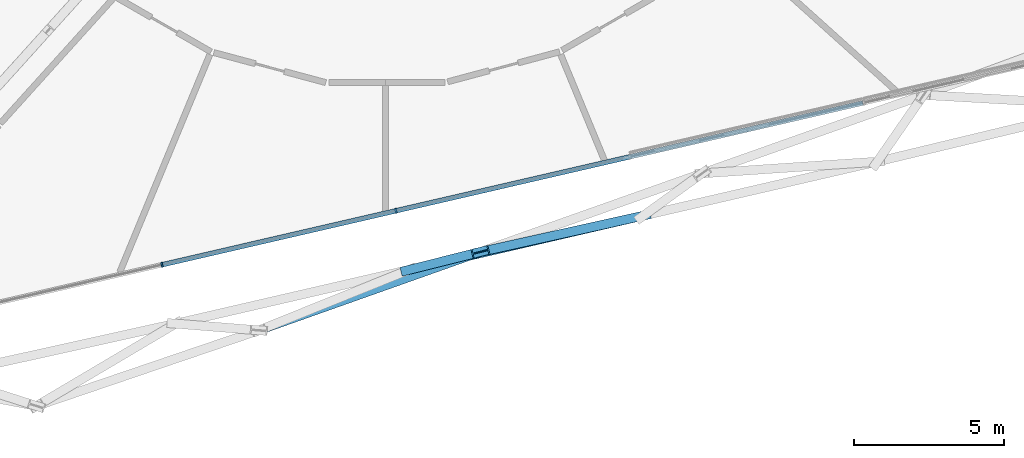
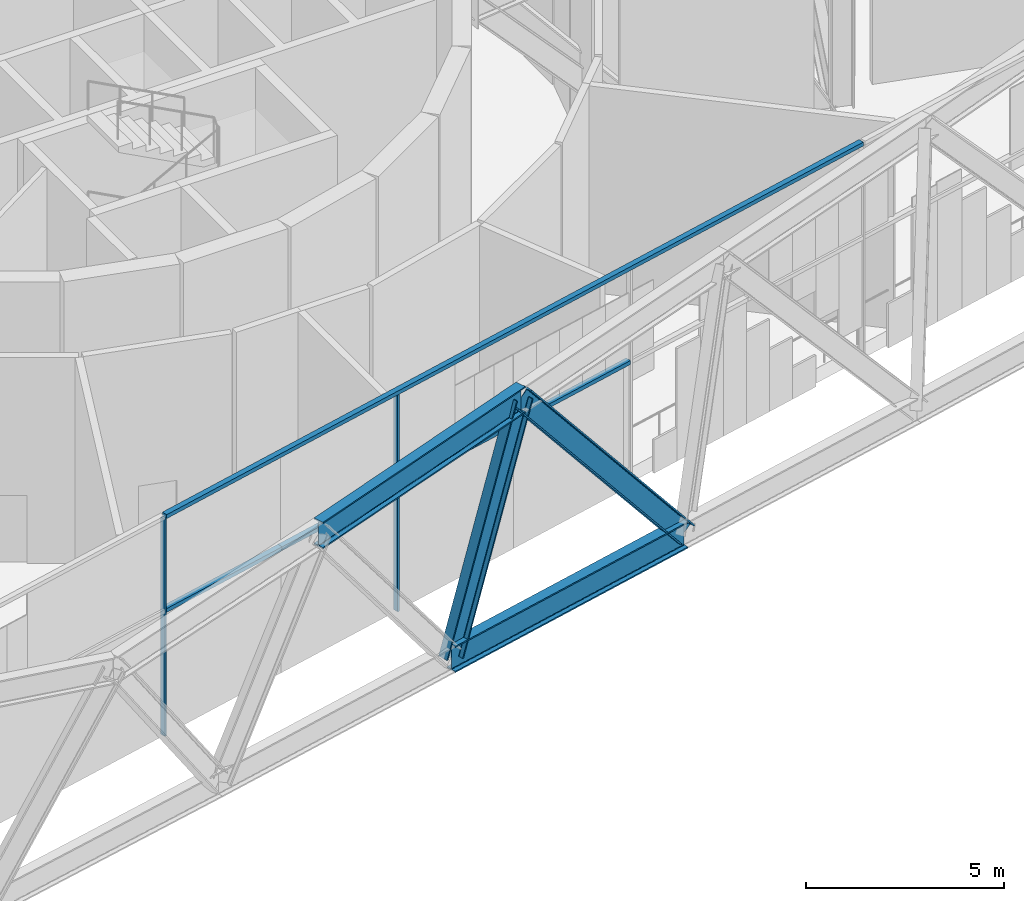
# One storey, part 3 of 25: 11 members, 1 element without a shape of its own.
"""IFC4 building model written with IfcOpenShell, lengths in metres."""

from ifc_helpers import new_model, si_unit, direction, frame, origin, origin_2d, place, context, subcontext, project, spatial, rectangle, i_section, extrude, material, layer, layer_set, material_profile, profile_set, type_object, element, aggregate, save


model = new_model("IFC4")

# Units and contexts
model_context = context("Model", 3, precision=1e-05, world=origin(), true_north=direction((0.0, 1.0)))
body_context = subcontext(model_context, "Body", "Model", "MODEL_VIEW")
ifc_project = project(units=[si_unit("LENGTHUNIT", "METRE"), si_unit("AREAUNIT", "SQUARE_METRE"), si_unit("VOLUMEUNIT", "CUBIC_METRE"), si_unit("PLANEANGLEUNIT", "RADIAN"), si_unit("MASSUNIT", "GRAM", prefix="KILO")], contexts=[model_context])

# Site, building, storey
site_placement = place(None, origin())
site = spatial("IfcSite", under=ifc_project, at=site_placement, CompositionType="ELEMENT")
building_placement = place(site_placement, origin())
building = spatial("IfcBuilding", under=site, at=building_placement, Name="Spindle Arch Residences", CompositionType="ELEMENT")
storey_placement = place(building_placement, frame((0.0, 0.0, 144.89990234375)))
storey = spatial("IfcBuildingStorey", under=building, at=storey_placement, Name="L36", CompositionType="ELEMENT", Elevation=144.89990234375)

# Members
ifc_material_1 = material(Name="Steel S460ML, intumescent coating R 240", Category="steel")
ifc_material_profile_1 = material_profile(ifc_material_1, i_section(OverallWidth=0.302978515625, OverallDepth=0.81396484375, WebThickness=0.02099609375, FlangeThickness=0.0400390625, FilletRadius=0.030029296875, at=origin_2d()), Name="HEM 800")
ifc_profile_set_1 = profile_set([ifc_material_profile_1], Name="Steel S460ML, intumescent coating R 240")
member_type_1 = type_object("IfcMemberType", Name="Belt truss chord HEM 800", PredefinedType="CHORD", material=ifc_profile_set_1)
member_1_placement = place(storey_placement, frame((0.810302734375, -21.35595703125, -0.85693359375), z_axis=(0.974369667003, 0.224952777321, 0.0), x_axis=(-0.224952777321, 0.974369667003, 0.0)))
element("IfcMember", 1, at=member_1_placement, inside=storey, type_object=member_type_1, Name="Belt truss bottom chord L36.22", PredefinedType="CHORD", context=body_context, shape_type="SweptSolid", body=[
    extrude(i_section(OverallWidth=0.302978515625, OverallDepth=0.81396484375, WebThickness=0.02099609375, FlangeThickness=0.0400390625, FilletRadius=0.030029296875, at=origin_2d()), origin(), (0.0, 0.0, 1.0), 8.029052734375),
])
member_2_placement = place(storey_placement, frame((-4.226318359375, -23.385009765625, 5.943115234375), z_axis=(0.942639442898, 0.333812643101, 0.0), x_axis=(-0.333812643101, 0.942639442898, 0.0)))
element("IfcMember", 2, at=member_2_placement, inside=storey, type_object=member_type_1, Name="Belt truss top chord L36.21", PredefinedType="CHORD", context=body_context, shape_type="SweptSolid", body=[
    extrude(i_section(OverallWidth=0.302978515625, OverallDepth=0.81396484375, WebThickness=0.02099609375, FlangeThickness=0.0400390625, FilletRadius=0.030029296875, at=origin_2d()), origin(), (0.0, 0.0, 1.0), 7.860107421875),
])
ifc_material_2 = material(Name="Steel S460ML, intumescent coating R 240", Category="steel")
ifc_material_profile_2 = material_profile(ifc_material_2, i_section(OverallWidth=0.304931640625, OverallDepth=0.6201171875, WebThickness=0.02099609375, FlangeThickness=0.0400390625, FilletRadius=0.027099609375, at=origin_2d()), Name="HEM 600")
ifc_profile_set_2 = profile_set([ifc_material_profile_2], Name="Steel S460ML, intumescent coating R 240")
member_type_2 = type_object("IfcMemberType", Name="Belt truss diagonal HEM 600", PredefinedType="BRACE", material=ifc_profile_set_2)
member_3_placement = place(storey_placement, frame((0.810302734375, -21.35595703125, -0.85693359375), z_axis=(0.328310205834, 0.082297145648, 0.940977995791), x_axis=(-0.243146202055, 0.969989651711, 0.0)))
element("IfcMember", 3, at=member_3_placement, inside=storey, type_object=member_type_2, Name="Belt truss diagonal L36.22.22", PredefinedType="BRACE", context=body_context, shape_type="SweptSolid", body=[
    extrude(i_section(OverallWidth=0.304931640625, OverallDepth=0.6201171875, WebThickness=0.02099609375, FlangeThickness=0.0400390625, FilletRadius=0.027099609375, at=origin_2d()), origin(), (0.0, 0.0, 1.0), 7.2265625),
])
member_4_placement = place(storey_placement, frame((8.633544921875, -19.5498046875, -0.85693359375), z_axis=(-0.619483191383, -0.137681429528, 0.772841768771), x_axis=(0.216958235298, -0.976180886996, 0.0)))
element("IfcMember", 4, at=member_4_placement, inside=storey, type_object=member_type_2, Name="Belt truss diagonal L36.22.1", PredefinedType="BRACE", context=body_context, shape_type="SweptSolid", body=[
    extrude(i_section(OverallWidth=0.304931640625, OverallDepth=0.6201171875, WebThickness=0.02099609375, FlangeThickness=0.0400390625, FilletRadius=0.027099609375, at=origin_2d()), origin(), (0.0, 0.0, 1.0), 8.798828125),
])

# Curtain wall, members
ifc_material_3 = material(Name="Aluminium bronze unitised frame with tinted glass", Category="aluminium")
ifc_layer = layer(ifc_material_3, 0.159912109375)
ifc_layer_set = layer_set([ifc_layer], Name="CW-E double-height winter garden wall")
curtain_wall_type = type_object("IfcCurtainWallType", Name="CW-E double-height winter garden wall", PredefinedType="NOTDEFINED", material=ifc_layer_set)
curtain_wall_placement = place(storey_placement, origin())
curtain_wall = element("IfcCurtainWall", 5, at=curtain_wall_placement, inside=storey, type_object=curtain_wall_type, Name="CW-E L36 run 6", PredefinedType="NOTDEFINED")
ifc_material_4 = material(Name="Aluminium bronze anodised mullion", Category="aluminium")
ifc_material_profile_3 = material_profile(ifc_material_4, rectangle(XDim=0.159912109375, YDim=0.06005859375, at=origin_2d()), Name="MU 60x160")
ifc_profile_set_3 = profile_set([ifc_material_profile_3], Name="Aluminium bronze anodised mullion")
member_type_3 = type_object("IfcMemberType", Name="Bronze mullion 60x160", PredefinedType="MULLION", material=ifc_profile_set_3)
member_5_placement = place(storey_placement, frame((-7.467529296875, -21.19384765625, -0.449951171875), z_axis=(0.0, 0.0, 1.0), x_axis=(-0.224951054344, 0.974370064785, 0.0)))
member_5 = element("IfcMember", 6, at=member_5_placement, type_object=member_type_3, Name="CW-E mullion 20", PredefinedType="MULLION", context=body_context, shape_type="SweptSolid", body=[
    extrude(rectangle(XDim=0.159912109375, YDim=0.06005859375, at=origin_2d()), origin(), (0.0, 0.0, 1.0), 6.679931640625),
])
member_6_placement = place(storey_placement, frame((0.355712890625, -19.3876953125, -0.449951171875), z_axis=(0.0, 0.0, 1.0), x_axis=(-0.224951054344, 0.974370064785, 0.0)))
member_6 = element("IfcMember", 7, at=member_6_placement, type_object=member_type_3, Name="CW-E mullion 21", PredefinedType="MULLION", context=body_context, shape_type="SweptSolid", body=[
    extrude(rectangle(XDim=0.159912109375, YDim=0.06005859375, at=origin_2d()), origin(), (0.0, 0.0, 1.0), 6.679931640625),
])
ifc_material_5 = material(Name="Aluminium bronze anodised transom", Category="aluminium")
ifc_material_profile_4 = material_profile(ifc_material_5, rectangle(XDim=0.159912109375, YDim=0.1201171875, at=origin_2d()), Name="TR 120x160")
ifc_profile_set_4 = profile_set([ifc_material_profile_4], Name="Aluminium bronze anodised transom")
member_type_4 = type_object("IfcMemberType", Name="Bronze transom 120x160", PredefinedType="USERDEFINED", material=ifc_profile_set_4)
member_7_placement = place(storey_placement, frame((-7.438232421875, -21.187255859375, 6.2900390625), z_axis=(0.974369784879, 0.224952266747, 0.0), x_axis=(-0.224952266747, 0.974369784879, 0.0)))
member_7 = element("IfcMember", 8, at=member_7_placement, type_object=member_type_4, Name="CW-E transom 00", ObjectType="TRANSOM", PredefinedType="USERDEFINED", context=body_context, shape_type="SweptSolid", body=[
    extrude(rectangle(XDim=0.159912109375, YDim=0.1201171875, at=origin_2d()), origin(), (0.0, 0.0, 1.0), 24.02734375),
])
member_8_placement = place(storey_placement, frame((-7.438232421875, -21.187255859375, 3.400146484375), z_axis=(0.974360205813, 0.224993753977, 0.0), x_axis=(-0.224993753977, 0.974360205813, 0.0)))
member_8 = element("IfcMember", 9, at=member_8_placement, type_object=member_type_4, Name="CW-E transom 20Am", ObjectType="TRANSOM", PredefinedType="USERDEFINED", context=body_context, shape_type="SweptSolid", body=[
    extrude(rectangle(XDim=0.159912109375, YDim=0.1201171875, at=origin_2d()), origin(), (0.0, 0.0, 1.0), 3.984375),
])
member_9_placement = place(storey_placement, frame((-3.555908203125, -20.290771484375, 3.400146484375), z_axis=(0.974376736716, 0.224922153083, 0.0), x_axis=(-0.224922153083, 0.974376736716, 0.0)))
member_9 = element("IfcMember", 10, at=member_9_placement, type_object=member_type_4, Name="CW-E transom 20Bm", ObjectType="TRANSOM", PredefinedType="USERDEFINED", context=body_context, shape_type="SweptSolid", body=[
    extrude(rectangle(XDim=0.159912109375, YDim=0.1201171875, at=origin_2d()), origin(), (0.0, 0.0, 1.0), 3.984619140625),
])
member_10_placement = place(storey_placement, frame((0.385009765625, -19.381103515625, 3.400146484375), z_axis=(0.974363307299, 0.224980322229, 0.0), x_axis=(-0.224980322229, 0.974363307299, 0.0)))
member_10 = element("IfcMember", 11, at=member_10_placement, type_object=member_type_4, Name="CW-E transom 21Am", ObjectType="TRANSOM", PredefinedType="USERDEFINED", context=body_context, shape_type="SweptSolid", body=[
    extrude(rectangle(XDim=0.159912109375, YDim=0.1201171875, at=origin_2d()), origin(), (0.0, 0.0, 1.0), 3.984619140625),
])
member_11_placement = place(storey_placement, frame((4.267578125, -18.484619140625, 3.400146484375), z_axis=(0.97437363679, 0.224935581729, 0.0), x_axis=(-0.224935581729, 0.97437363679, 0.0)))
member_11 = element("IfcMember", 12, at=member_11_placement, type_object=member_type_4, Name="CW-E transom 21Bm", ObjectType="TRANSOM", PredefinedType="USERDEFINED", context=body_context, shape_type="SweptSolid", body=[
    extrude(rectangle(XDim=0.159912109375, YDim=0.1201171875, at=origin_2d()), origin(), (0.0, 0.0, 1.0), 3.984375),
])
aggregate(curtain_wall, [member_7, member_5, member_8, member_9, member_6, member_10, member_11])

save(model, "model.ifc")
